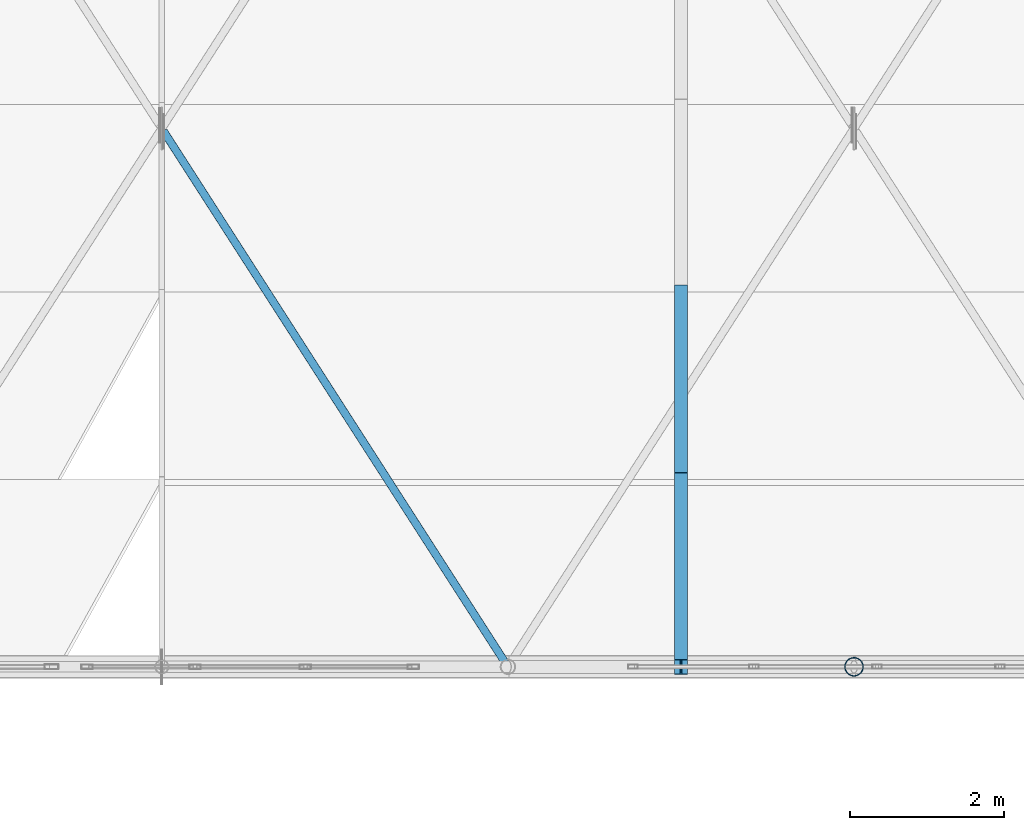
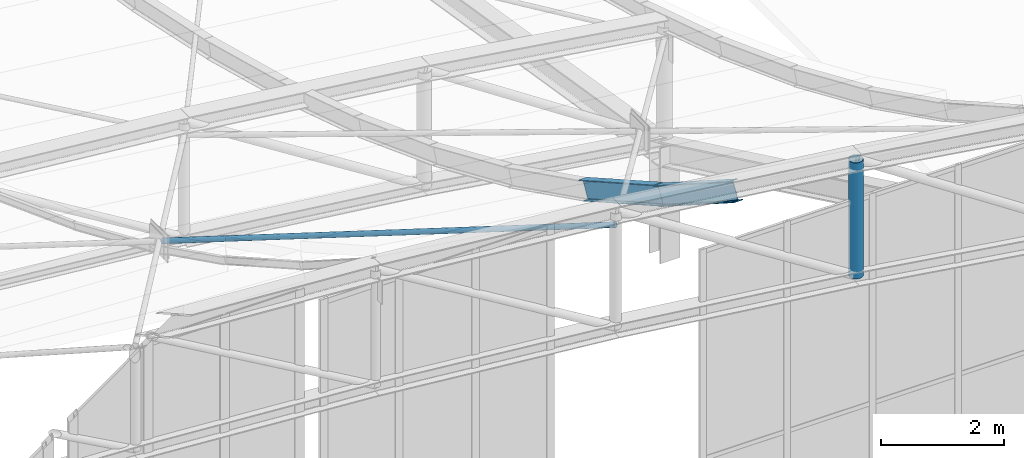
# One storey, part 151 of 262: 4 members.
"""IFC4 building model written with IfcOpenShell, lengths in metres."""

from ifc_helpers import new_model, si_unit, derived_unit, direction, frame, origin, origin_2d, place, context, subcontext, project, spatial, hollow_circle, i_section, extrude, material, material_profile, profile_set, type_object, element, save


model = new_model("IFC4")

# Units and contexts
model_context = context("Model", 3, precision=1e-05, world=origin(), true_north=direction((0.0, 1.0)))
body_context = subcontext(model_context, "Body", "Model", "MODEL_VIEW")
ifc_project = project(units=[si_unit("LENGTHUNIT", "METRE"), si_unit("AREAUNIT", "SQUARE_METRE"), si_unit("VOLUMEUNIT", "CUBIC_METRE"), si_unit("PLANEANGLEUNIT", "RADIAN"), si_unit("MASSUNIT", "GRAM", prefix="KILO"), derived_unit("THERMALTRANSMITTANCEUNIT", [(si_unit("POWERUNIT", "WATT"), 1), (si_unit("LENGTHUNIT", "METRE"), -2), (si_unit("THERMODYNAMICTEMPERATUREUNIT", "KELVIN"), -1)])], contexts=[model_context])

# Site, building, storey
site_placement = place(None, origin())
site = spatial("IfcSite", under=ifc_project, at=site_placement, CompositionType="ELEMENT")
building_placement = place(site_placement, origin())
building = spatial("IfcBuilding", under=site, at=building_placement, Name="Almenara Railside Exhibition Hall", CompositionType="ELEMENT")
storey_placement = place(building_placement, frame((0.0, 0.0, 21.699951171875)))
storey = spatial("IfcBuildingStorey", under=building, at=storey_placement, Name="RF", CompositionType="ELEMENT", Elevation=21.699951171875)

# Members
ifc_material = material(Name="Structural steel S355JR", Category="steel")
ifc_material_profile_1 = material_profile(ifc_material, i_section(OverallWidth=0.169921875, OverallDepth=0.360107421875, WebThickness=0.008056640625, FlangeThickness=0.0126953125, FilletRadius=0.01806640625, at=origin_2d()), Name="IPE 360")
ifc_profile_set_1 = profile_set([ifc_material_profile_1], Name="Structural steel S355JR")
member_type_1 = type_object("IfcMemberType", Name="Long-Span Scroll Purlin IPE 360 S355JR", PredefinedType="PURLIN", material=ifc_profile_set_1)
member_1_placement = place(storey_placement, frame((185.25, 34.0, 2.52587890625), z_axis=(0.0, 0.842226955435, -0.539123135785), x_axis=(-1.0, 0.0, 0.0)))
element("IfcMember", 1, at=member_1_placement, inside=storey, type_object=member_type_1, Name="MEM-PR-V2-PR-IPE360-07-00", PredefinedType="PURLIN", context=body_context, shape_type="SweptSolid", body=[
    extrude(i_section(OverallWidth=0.169921875, OverallDepth=0.360107421875, WebThickness=0.008056640625, FlangeThickness=0.0126953125, FilletRadius=0.01806640625, at=origin_2d()), origin(), (0.0, 0.0, 1.0), 2.893310546875),
])
member_2_placement = place(storey_placement, frame((185.25, 36.436767578125, 0.97998046875), z_axis=(0.0, 0.870483227181, -0.492198081261), x_axis=(-1.0, 0.0, 0.0)))
element("IfcMember", 2, at=member_2_placement, inside=storey, type_object=member_type_1, Name="MEM-PR-V2-PR-IPE360-07-01", PredefinedType="PURLIN", context=body_context, shape_type="SweptSolid", body=[
    extrude(i_section(OverallWidth=0.169921875, OverallDepth=0.360107421875, WebThickness=0.008056640625, FlangeThickness=0.0126953125, FilletRadius=0.01806640625, at=origin_2d()), origin(), (0.0, 0.0, 1.0), 2.799072265625),
])
ifc_material_profile_2 = material_profile(ifc_material, hollow_circle(Radius=0.05078125, WallThickness=0.00390625, at=origin_2d()), Name="CHS 101.6x4")
ifc_profile_set_2 = profile_set([ifc_material_profile_2], Name="Structural steel S355JR")
member_type_2 = type_object("IfcMemberType", Name="Scroll Wind Plan Brace CHS 101.6x4 S355JR", PredefinedType="BRACE", material=ifc_profile_set_2)
member_3_placement = place(storey_placement, frame((183.0, 34.0, 2.642333984375), z_axis=(-0.508880288345, 0.79157303942, -0.338308993966), x_axis=(-0.841172720323, -0.540766543514, 0.0)))
element("IfcMember", 3, at=member_3_placement, inside=storey, type_object=member_type_2, Name="MEM-WB-V2-WB-CHS102-00-08-S1", PredefinedType="BRACE", context=body_context, shape_type="SweptSolid", body=[
    extrude(hollow_circle(Radius=0.05078125, WallThickness=0.00390625, at=origin_2d()), origin(), (0.0, 0.0, 1.0), 8.788330078125),
])
ifc_material_profile_3 = material_profile(ifc_material, hollow_circle(Radius=0.122314453125, WallThickness=0.008056640625, at=origin_2d()), Name="CHS 244.5x8")
ifc_profile_set_3 = profile_set([ifc_material_profile_3], Name="Structural steel S355JR")
member_type_3 = type_object("IfcMemberType", Name="Truss Haunch Vertical Strut CHS 244.5x8 S355JR", PredefinedType="BRACE", material=ifc_profile_set_3)
member_4_placement = place(storey_placement, frame((187.5, 34.0, 0.072265625), z_axis=(0.0, 0.0, 1.0), x_axis=(1.0, 0.0, 0.0)))
element("IfcMember", 4, at=member_4_placement, inside=storey, type_object=member_type_3, Name="MEM-TV-V2-00-11", PredefinedType="BRACE", context=body_context, shape_type="SweptSolid", body=[
    extrude(hollow_circle(Radius=0.122314453125, WallThickness=0.008056640625, at=origin_2d()), origin(), (0.0, 0.0, 1.0), 2.300048828125),
])

save(model, "model.ifc")
